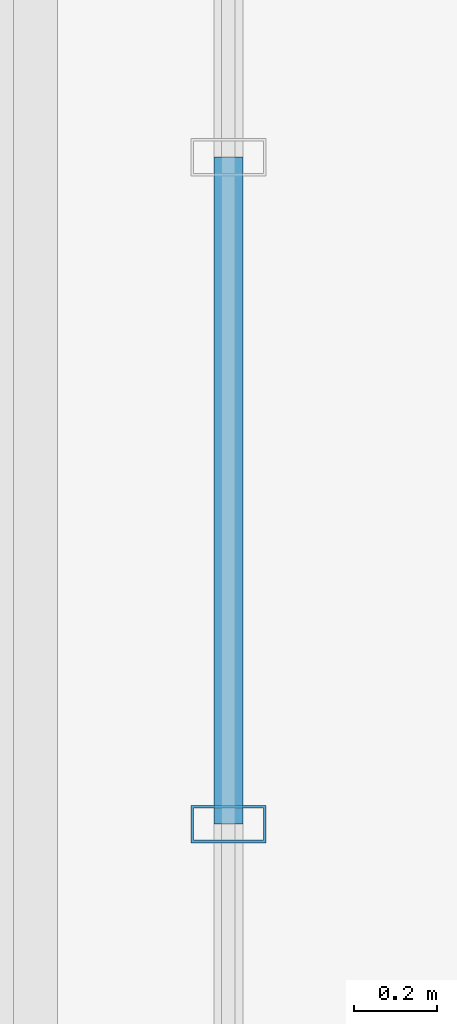
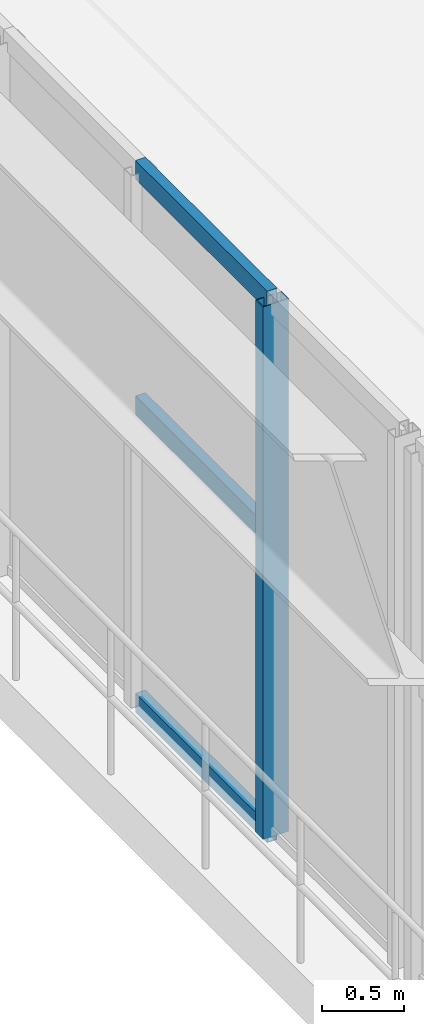
# One storey, part 22 of 124: 4 members, 1 element without a shape of its own.
"""IFC4 building model written with IfcOpenShell, lengths in metres."""

from ifc_helpers import new_model, si_unit, direction, frame, origin, origin_2d, place, context, subcontext, project, spatial, hollow_rectangle, extrude, material, material_profile, profile_set, type_object, element, aggregate, save


model = new_model("IFC4")

# Units and contexts
model_context = context("Model", 3, precision=1e-05, world=origin(), true_north=direction((0.0, 1.0)))
body_context = subcontext(model_context, "Body", "Model", "MODEL_VIEW")
ifc_project = project(units=[si_unit("LENGTHUNIT", "METRE"), si_unit("AREAUNIT", "SQUARE_METRE"), si_unit("VOLUMEUNIT", "CUBIC_METRE"), si_unit("PLANEANGLEUNIT", "RADIAN"), si_unit("MASSUNIT", "GRAM", prefix="KILO")], contexts=[model_context])

# Site, building, storey
site_placement = place(None, origin())
site = spatial("IfcSite", under=ifc_project, at=site_placement, CompositionType="ELEMENT")
building_placement = place(site_placement, origin())
building = spatial("IfcBuilding", under=site, at=building_placement, Name="Sundkrona Museum", CompositionType="ELEMENT")
storey_placement = place(building_placement, frame((0.0, 0.0, 17.60009765625)))
storey = spatial("IfcBuildingStorey", under=building, at=storey_placement, Name="L03", CompositionType="ELEMENT", Elevation=17.60009765625)

# Curtain wall, members
ifc_material_1 = material(Name="Unitised Aluminium-Steel and Ceramic-Clad Curtain Walling", Category="steel")
curtain_wall_type = type_object("IfcCurtainWallType", Name="CW-CV-68x38", PredefinedType="NOTDEFINED", material=ifc_material_1)
curtain_wall_placement = place(storey_placement, origin())
curtain_wall = element("IfcCurtainWall", 1, at=curtain_wall_placement, inside=storey, type_object=curtain_wall_type, Name="L03 Curtain Wall CW-CV-TIP-L03-39", PredefinedType="NOTDEFINED")
ifc_material_2 = material(Name="Aluminium EN AW-6060 T66", Category="aluminium")
ifc_material_profile_1 = material_profile(ifc_material_2, hollow_rectangle(XDim=0.090087890625, YDim=0.179931640625, WallThickness=0.00634765625, at=origin_2d()), Name="RHS 180x90x6.3")
ifc_profile_set_1 = profile_set([ifc_material_profile_1], Name="Aluminium EN AW-6060 T66")
member_type_1 = type_object("IfcMemberType", Name="ML-180", PredefinedType="MULLION", material=ifc_profile_set_1)
member_1_placement = place(storey_placement, frame((4.60009765625, 41.39990234375, -0.004150390625), z_axis=(0.0, 0.0, 1.0), x_axis=(0.0, 1.0, 0.0)))
member_1 = element("IfcMember", 2, at=member_1_placement, type_object=member_type_1, Name="CW-CV-TIP-L03-39 Mullion 02", PredefinedType="MULLION", context=body_context, shape_type="SweptSolid", body=[
    extrude(hollow_rectangle(XDim=0.090087890625, YDim=0.179931640625, WallThickness=0.00634765625, at=origin_2d()), origin(), (0.0, 0.0, 1.0), 3.947998046875),
])
ifc_material_profile_2 = material_profile(ifc_material_2, hollow_rectangle(XDim=0.070068359375, YDim=0.139892578125, WallThickness=0.0048828125, at=origin_2d()), Name="RHS 140x70x5.0")
ifc_profile_set_2 = profile_set([ifc_material_profile_2], Name="Aluminium EN AW-6060 T66")
member_type_2 = type_object("IfcMemberType", Name="TR-140", PredefinedType="USERDEFINED", material=ifc_profile_set_2)
member_2_placement = place(storey_placement, frame((4.60009765625, 41.39990234375, -0.004150390625), z_axis=(0.0, 1.0, 0.0), x_axis=(-1.0, 0.0, 0.0)))
member_2 = element("IfcMember", 3, at=member_2_placement, type_object=member_type_2, Name="CW-CV-TIP-L03-39 Transom 04", ObjectType="TRANSOM", PredefinedType="USERDEFINED", context=body_context, shape_type="SweptSolid", body=[
    extrude(hollow_rectangle(XDim=0.070068359375, YDim=0.139892578125, WallThickness=0.0048828125, at=origin_2d()), origin(), (0.0, 0.0, 1.0), 1.60009765625),
])
member_3_placement = place(storey_placement, frame((4.60009765625, 41.39990234375, 2.199951171875), z_axis=(0.0, 1.0, 0.0), x_axis=(-1.0, 0.0, 0.0)))
member_3 = element("IfcMember", 4, at=member_3_placement, type_object=member_type_2, Name="CW-CV-TIP-L03-39 Transom 05", ObjectType="TRANSOM", PredefinedType="USERDEFINED", context=body_context, shape_type="SweptSolid", body=[
    extrude(hollow_rectangle(XDim=0.070068359375, YDim=0.139892578125, WallThickness=0.0048828125, at=origin_2d()), origin(), (0.0, 0.0, 1.0), 1.60009765625),
])
member_4_placement = place(storey_placement, frame((4.60009765625, 41.39990234375, 3.94384765625), z_axis=(0.0, 1.0, 0.0), x_axis=(-1.0, 0.0, 0.0)))
member_4 = element("IfcMember", 5, at=member_4_placement, type_object=member_type_2, Name="CW-CV-TIP-L03-39 Transom 06", ObjectType="TRANSOM", PredefinedType="USERDEFINED", context=body_context, shape_type="SweptSolid", body=[
    extrude(hollow_rectangle(XDim=0.070068359375, YDim=0.139892578125, WallThickness=0.0048828125, at=origin_2d()), origin(), (0.0, 0.0, 1.0), 1.60009765625),
])
aggregate(curtain_wall, [member_1, member_2, member_3, member_4])

save(model, "model.ifc")
